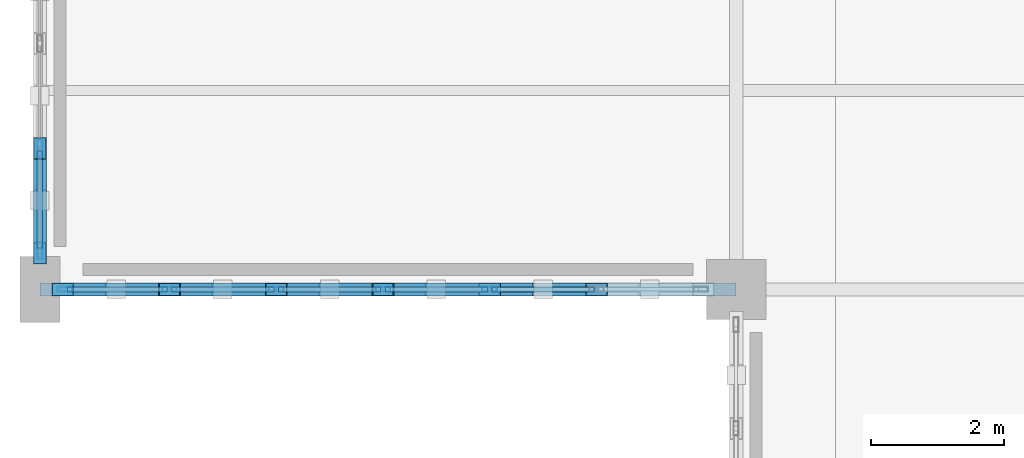
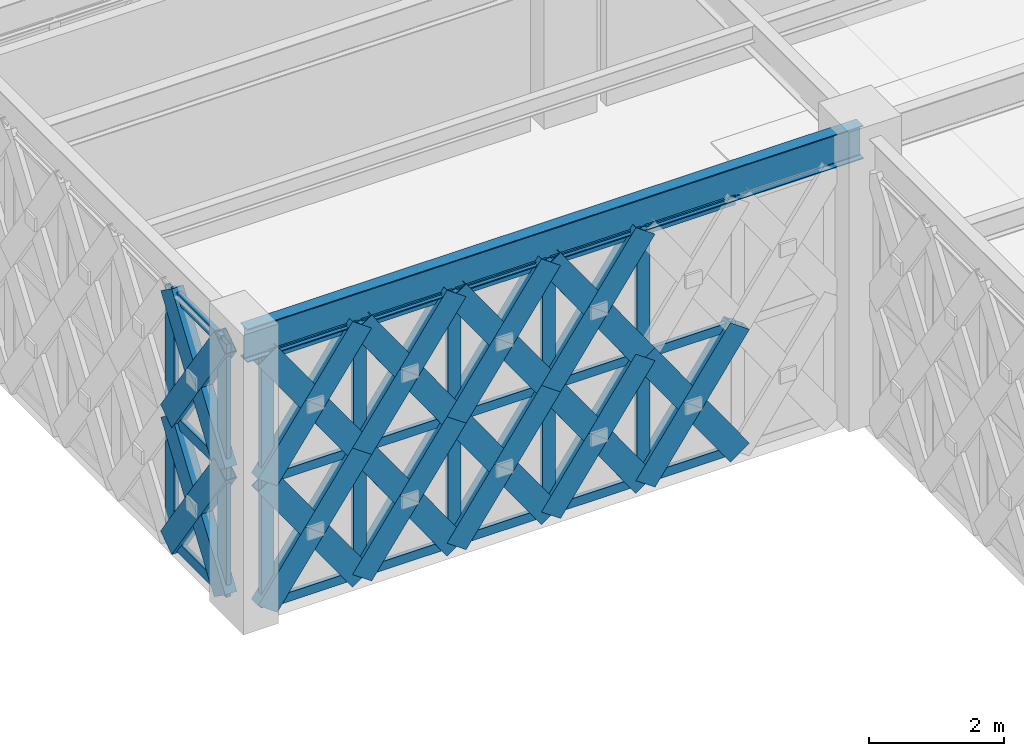
# One storey, part 18 of 155: 58 members, 1 beam, 2 elements without a shape of their own.
"""IFC4 building model written with IfcOpenShell, lengths in metres."""

from ifc_helpers import new_model, si_unit, direction, frame, origin, origin_2d, place, context, subcontext, project, spatial, hollow_rectangle, i_section, extrude, material, material_profile, profile_set, type_object, element, aggregate, save


model = new_model("IFC4")

# Units and contexts
model_context = context("Model", 3, precision=1e-05, world=origin(), true_north=direction((0.0, 1.0)))
body_context = subcontext(model_context, "Body", "Model", "MODEL_VIEW")
ifc_project = project(units=[si_unit("LENGTHUNIT", "METRE"), si_unit("AREAUNIT", "SQUARE_METRE"), si_unit("VOLUMEUNIT", "CUBIC_METRE"), si_unit("PLANEANGLEUNIT", "RADIAN"), si_unit("MASSUNIT", "GRAM", prefix="KILO")], contexts=[model_context])

# Site, building, storey
site_placement = place(None, origin())
site = spatial("IfcSite", under=ifc_project, at=site_placement, CompositionType="ELEMENT")
building_placement = place(site_placement, origin())
building = spatial("IfcBuilding", under=site, at=building_placement, Name="Haizhuo Lancet Aquarium", CompositionType="ELEMENT")
storey_placement = place(building_placement, frame((0.0, 0.0, 10.800048828125)))
storey = spatial("IfcBuildingStorey", under=building, at=storey_placement, Name="L02", CompositionType="ELEMENT", Elevation=10.800048828125)

# Beam
ifc_material_1 = material(Name="Steel S355", Category="steel")
ifc_material_profile_1 = material_profile(ifc_material_1, i_section(OverallWidth=0.199951171875, OverallDepth=0.60009765625, WebThickness=0.010986328125, FlangeThickness=0.01708984375, FilletRadius=0.02197265625, at=origin_2d()), Name="HN 600x200x11x17")
ifc_profile_set_1 = profile_set([ifc_material_profile_1], Name="Steel S355")
beam_type = type_object("IfcBeamType", Name="BM-ST-HN600", PredefinedType="BEAM", material=ifc_profile_set_1)
beam_placement = place(storey_placement, frame((-82.5, -18.0, 4.85986328125), z_axis=(1.0, 0.0, 0.0), x_axis=(0.0, 1.0, 0.0)))
element("IfcBeam", 1, at=beam_placement, inside=storey, type_object=beam_type, Name="L02 V6 primary girder BM-L02-V6-002", PredefinedType="BEAM", context=body_context, shape_type="SweptSolid", body=[
    extrude(i_section(OverallWidth=0.199951171875, OverallDepth=0.60009765625, WebThickness=0.010986328125, FlangeThickness=0.01708984375, FilletRadius=0.02197265625, at=origin_2d()), origin(), (0.0, 0.0, 1.0), 10.5),
])

# Curtain wall, members
ifc_material_2 = material(Name="Aluminium 6063-T6", Category="aluminium")
curtain_wall_type_1 = type_object("IfcCurtainWallType", Name="CWD-9660x4560", PredefinedType="NOTDEFINED", material=ifc_material_2)
curtain_wall_1_placement = place(storey_placement, origin())
curtain_wall_1 = element("IfcCurtainWall", 2, at=curtain_wall_1_placement, inside=storey, type_object=curtain_wall_type_1, Name="L02 curtain wall CW-V6-L02-212", PredefinedType="NOTDEFINED")
ifc_material_profile_2 = material_profile(ifc_material_2, hollow_rectangle(XDim=0.074951171875, YDim=0.219970703125, WallThickness=0.0048828125, at=origin_2d()), Name="ALU-M 75x220x5")
ifc_profile_set_2 = profile_set([ifc_material_profile_2], Name="Aluminium 6063-T6")
member_type_1 = type_object("IfcMemberType", Name="CW-MUL-2", PredefinedType="MULLION", material=ifc_profile_set_2)
member_1_placement = place(storey_placement, frame((-75.715087890625, -18.0, 0.0), z_axis=(0.0, 0.0, 1.0), x_axis=(0.0, -1.0, 0.0)))
member_1 = element("IfcMember", 3, at=member_1_placement, type_object=member_type_1, Name="CWD-96x45 mullion 3", PredefinedType="MULLION", context=body_context, shape_type="SweptSolid", body=[
    extrude(hollow_rectangle(XDim=0.074951171875, YDim=0.219970703125, WallThickness=0.0048828125, at=origin_2d()), origin(), (0.0, 0.0, 1.0), 4.56005859375),
])
member_2_placement = place(storey_placement, frame((-77.324951171875, -18.0, 0.0), z_axis=(0.0, 0.0, 1.0), x_axis=(0.0, -1.0, 0.0)))
member_2 = element("IfcMember", 4, at=member_2_placement, type_object=member_type_1, Name="CWD-96x45 mullion 4", PredefinedType="MULLION", context=body_context, shape_type="SweptSolid", body=[
    extrude(hollow_rectangle(XDim=0.074951171875, YDim=0.219970703125, WallThickness=0.0048828125, at=origin_2d()), origin(), (0.0, 0.0, 1.0), 4.56005859375),
])
member_3_placement = place(storey_placement, frame((-78.93505859375, -18.0, 0.0), z_axis=(0.0, 0.0, 1.0), x_axis=(0.0, -1.0, 0.0)))
member_3 = element("IfcMember", 5, at=member_3_placement, type_object=member_type_1, Name="CWD-96x45 mullion 5", PredefinedType="MULLION", context=body_context, shape_type="SweptSolid", body=[
    extrude(hollow_rectangle(XDim=0.074951171875, YDim=0.219970703125, WallThickness=0.0048828125, at=origin_2d()), origin(), (0.0, 0.0, 1.0), 4.56005859375),
])
member_4_placement = place(storey_placement, frame((-80.544921875, -18.0, 0.0), z_axis=(0.0, 0.0, 1.0), x_axis=(0.0, -1.0, 0.0)))
member_4 = element("IfcMember", 6, at=member_4_placement, type_object=member_type_1, Name="CWD-96x45 mullion 6", PredefinedType="MULLION", context=body_context, shape_type="SweptSolid", body=[
    extrude(hollow_rectangle(XDim=0.074951171875, YDim=0.219970703125, WallThickness=0.0048828125, at=origin_2d()), origin(), (0.0, 0.0, 1.0), 4.56005859375),
])
member_5_placement = place(storey_placement, frame((-82.117919921875, -18.0, 0.0), z_axis=(0.0, 0.0, 1.0), x_axis=(0.0, -1.0, 0.0)))
member_5 = element("IfcMember", 7, at=member_5_placement, type_object=member_type_1, Name="CWD-96x45 mullion 7", PredefinedType="MULLION", context=body_context, shape_type="SweptSolid", body=[
    extrude(hollow_rectangle(XDim=0.074951171875, YDim=0.219970703125, WallThickness=0.0048828125, at=origin_2d()), origin(), (0.0, 0.0, 1.0), 4.56005859375),
])

curtain_wall_type_2 = type_object("IfcCurtainWallType", Name="CWD-7910x4560", PredefinedType="NOTDEFINED", material=ifc_material_2)
curtain_wall_2_placement = place(storey_placement, origin())
curtain_wall_2 = element("IfcCurtainWall", 8, at=curtain_wall_2_placement, inside=storey, type_object=curtain_wall_type_2, Name="L02 curtain wall CW-V6-L02-213", PredefinedType="NOTDEFINED")
ifc_material_profile_3 = material_profile(ifc_material_2, hollow_rectangle(XDim=0.080078125, YDim=0.260009765625, WallThickness=0.0048828125, at=origin_2d()), Name="ALU-M 80x260x5")
ifc_profile_set_3 = profile_set([ifc_material_profile_3], Name="Aluminium 6063-T6")
member_type_2 = type_object("IfcMemberType", Name="CW-MUL-3", PredefinedType="MULLION", material=ifc_profile_set_3)
member_6_placement = place(storey_placement, frame((-82.5, -17.4150390625, 0.0), z_axis=(0.0, 0.0, 1.0), x_axis=(-1.0, 0.0, 0.0)))
member_6 = element("IfcMember", 9, at=member_6_placement, type_object=member_type_2, Name="CWD-79x45 mullion 1", PredefinedType="MULLION", context=body_context, shape_type="SweptSolid", body=[
    extrude(hollow_rectangle(XDim=0.080078125, YDim=0.260009765625, WallThickness=0.0048828125, at=origin_2d()), origin(), (0.0, 0.0, 1.0), 4.56005859375),
])
member_7_placement = place(storey_placement, frame((-82.5, -15.873046875, 0.0), z_axis=(0.0, 0.0, 1.0), x_axis=(-1.0, 0.0, 0.0)))
member_7 = element("IfcMember", 10, at=member_7_placement, type_object=member_type_2, Name="CWD-79x45 mullion 2", PredefinedType="MULLION", context=body_context, shape_type="SweptSolid", body=[
    extrude(hollow_rectangle(XDim=0.080078125, YDim=0.260009765625, WallThickness=0.0048828125, at=origin_2d()), origin(), (0.0, 0.0, 1.0), 4.56005859375),
])

# Member
ifc_material_profile_4 = material_profile(ifc_material_2, hollow_rectangle(XDim=0.074951171875, YDim=0.159912109375, WallThickness=0.00390625, at=origin_2d()), Name="ALU-T 75x160x4")
ifc_profile_set_4 = profile_set([ifc_material_profile_4], Name="Aluminium 6063-T6")
member_type_3 = type_object("IfcMemberType", Name="CW-TRN-2", PredefinedType="NOTDEFINED", material=ifc_profile_set_4)
member_8_placement = place(storey_placement, frame((-74.14208984375, -18.0, 0.037841796875), z_axis=(-1.0, 0.0, 0.0), x_axis=(0.0, -1.0, 0.0)))
member_8 = element("IfcMember", 11, at=member_8_placement, type_object=member_type_3, Name="CWD-96x45 transom 2.1", ObjectType="TRANSOM", PredefinedType="USERDEFINED", context=body_context, shape_type="SweptSolid", body=[
    extrude(hollow_rectangle(XDim=0.074951171875, YDim=0.159912109375, WallThickness=0.00390625, at=origin_2d()), origin(), (0.0, 0.0, 1.0), 1.535888671875),
])

member_9_placement = place(storey_placement, frame((-74.14208984375, -18.0, 2.280029296875), z_axis=(-1.0, 0.0, 0.0), x_axis=(0.0, -1.0, 0.0)))
member_9 = element("IfcMember", 12, at=member_9_placement, type_object=member_type_3, Name="CWD-96x45 transom 2.2", ObjectType="TRANSOM", PredefinedType="USERDEFINED", context=body_context, shape_type="SweptSolid", body=[
    extrude(hollow_rectangle(XDim=0.074951171875, YDim=0.159912109375, WallThickness=0.00390625, at=origin_2d()), origin(), (0.0, 0.0, 1.0), 1.535888671875),
])

member_10_placement = place(storey_placement, frame((-74.14208984375, -18.0, 4.52197265625), z_axis=(-1.0, 0.0, 0.0), x_axis=(0.0, -1.0, 0.0)))
member_10 = element("IfcMember", 13, at=member_10_placement, type_object=member_type_3, Name="CWD-96x45 transom 2.3", ObjectType="TRANSOM", PredefinedType="USERDEFINED", context=body_context, shape_type="SweptSolid", body=[
    extrude(hollow_rectangle(XDim=0.074951171875, YDim=0.159912109375, WallThickness=0.00390625, at=origin_2d()), origin(), (0.0, 0.0, 1.0), 1.535888671875),
])

member_11_placement = place(storey_placement, frame((-75.751953125, -18.0, 0.037841796875), z_axis=(-1.0, 0.0, 0.0), x_axis=(0.0, -1.0, 0.0)))
member_11 = element("IfcMember", 14, at=member_11_placement, type_object=member_type_3, Name="CWD-96x45 transom 3.1", ObjectType="TRANSOM", PredefinedType="USERDEFINED", context=body_context, shape_type="SweptSolid", body=[
    extrude(hollow_rectangle(XDim=0.074951171875, YDim=0.159912109375, WallThickness=0.00390625, at=origin_2d()), origin(), (0.0, 0.0, 1.0), 1.5361328125),
])

member_12_placement = place(storey_placement, frame((-75.751953125, -18.0, 2.280029296875), z_axis=(-1.0, 0.0, 0.0), x_axis=(0.0, -1.0, 0.0)))
member_12 = element("IfcMember", 15, at=member_12_placement, type_object=member_type_3, Name="CWD-96x45 transom 3.2", ObjectType="TRANSOM", PredefinedType="USERDEFINED", context=body_context, shape_type="SweptSolid", body=[
    extrude(hollow_rectangle(XDim=0.074951171875, YDim=0.159912109375, WallThickness=0.00390625, at=origin_2d()), origin(), (0.0, 0.0, 1.0), 1.5361328125),
])

member_13_placement = place(storey_placement, frame((-75.751953125, -18.0, 4.52197265625), z_axis=(-1.0, 0.0, 0.0), x_axis=(0.0, -1.0, 0.0)))
member_13 = element("IfcMember", 16, at=member_13_placement, type_object=member_type_3, Name="CWD-96x45 transom 3.3", ObjectType="TRANSOM", PredefinedType="USERDEFINED", context=body_context, shape_type="SweptSolid", body=[
    extrude(hollow_rectangle(XDim=0.074951171875, YDim=0.159912109375, WallThickness=0.00390625, at=origin_2d()), origin(), (0.0, 0.0, 1.0), 1.5361328125),
])

member_14_placement = place(storey_placement, frame((-77.362060546875, -18.0, 0.037841796875), z_axis=(-1.0, 0.0, 0.0), x_axis=(0.0, -1.0, 0.0)))
member_14 = element("IfcMember", 17, at=member_14_placement, type_object=member_type_3, Name="CWD-96x45 transom 4.1", ObjectType="TRANSOM", PredefinedType="USERDEFINED", context=body_context, shape_type="SweptSolid", body=[
    extrude(hollow_rectangle(XDim=0.074951171875, YDim=0.159912109375, WallThickness=0.00390625, at=origin_2d()), origin(), (0.0, 0.0, 1.0), 1.535888671875),
])

member_15_placement = place(storey_placement, frame((-77.362060546875, -18.0, 2.280029296875), z_axis=(-1.0, 0.0, 0.0), x_axis=(0.0, -1.0, 0.0)))
member_15 = element("IfcMember", 18, at=member_15_placement, type_object=member_type_3, Name="CWD-96x45 transom 4.2", ObjectType="TRANSOM", PredefinedType="USERDEFINED", context=body_context, shape_type="SweptSolid", body=[
    extrude(hollow_rectangle(XDim=0.074951171875, YDim=0.159912109375, WallThickness=0.00390625, at=origin_2d()), origin(), (0.0, 0.0, 1.0), 1.535888671875),
])

member_16_placement = place(storey_placement, frame((-77.362060546875, -18.0, 4.52197265625), z_axis=(-1.0, 0.0, 0.0), x_axis=(0.0, -1.0, 0.0)))
member_16 = element("IfcMember", 19, at=member_16_placement, type_object=member_type_3, Name="CWD-96x45 transom 4.3", ObjectType="TRANSOM", PredefinedType="USERDEFINED", context=body_context, shape_type="SweptSolid", body=[
    extrude(hollow_rectangle(XDim=0.074951171875, YDim=0.159912109375, WallThickness=0.00390625, at=origin_2d()), origin(), (0.0, 0.0, 1.0), 1.535888671875),
])

member_17_placement = place(storey_placement, frame((-78.971923828125, -18.0, 0.037841796875), z_axis=(-1.0, 0.0, 0.0), x_axis=(0.0, -1.0, 0.0)))
member_17 = element("IfcMember", 20, at=member_17_placement, type_object=member_type_3, Name="CWD-96x45 transom 5.1", ObjectType="TRANSOM", PredefinedType="USERDEFINED", context=body_context, shape_type="SweptSolid", body=[
    extrude(hollow_rectangle(XDim=0.074951171875, YDim=0.159912109375, WallThickness=0.00390625, at=origin_2d()), origin(), (0.0, 0.0, 1.0), 1.5361328125),
])

member_18_placement = place(storey_placement, frame((-78.971923828125, -18.0, 2.280029296875), z_axis=(-1.0, 0.0, 0.0), x_axis=(0.0, -1.0, 0.0)))
member_18 = element("IfcMember", 21, at=member_18_placement, type_object=member_type_3, Name="CWD-96x45 transom 5.2", ObjectType="TRANSOM", PredefinedType="USERDEFINED", context=body_context, shape_type="SweptSolid", body=[
    extrude(hollow_rectangle(XDim=0.074951171875, YDim=0.159912109375, WallThickness=0.00390625, at=origin_2d()), origin(), (0.0, 0.0, 1.0), 1.5361328125),
])

member_19_placement = place(storey_placement, frame((-78.971923828125, -18.0, 4.52197265625), z_axis=(-1.0, 0.0, 0.0), x_axis=(0.0, -1.0, 0.0)))
member_19 = element("IfcMember", 22, at=member_19_placement, type_object=member_type_3, Name="CWD-96x45 transom 5.3", ObjectType="TRANSOM", PredefinedType="USERDEFINED", context=body_context, shape_type="SweptSolid", body=[
    extrude(hollow_rectangle(XDim=0.074951171875, YDim=0.159912109375, WallThickness=0.00390625, at=origin_2d()), origin(), (0.0, 0.0, 1.0), 1.5361328125),
])

member_20_placement = place(storey_placement, frame((-80.58203125, -18.0, 0.037841796875), z_axis=(-1.0, 0.0, 0.0), x_axis=(0.0, -1.0, 0.0)))
member_20 = element("IfcMember", 23, at=member_20_placement, type_object=member_type_3, Name="CWD-96x45 transom 6.1", ObjectType="TRANSOM", PredefinedType="USERDEFINED", context=body_context, shape_type="SweptSolid", body=[
    extrude(hollow_rectangle(XDim=0.074951171875, YDim=0.159912109375, WallThickness=0.00390625, at=origin_2d()), origin(), (0.0, 0.0, 1.0), 1.498046875),
])

member_21_placement = place(storey_placement, frame((-80.58203125, -18.0, 2.280029296875), z_axis=(-1.0, 0.0, 0.0), x_axis=(0.0, -1.0, 0.0)))
member_21 = element("IfcMember", 24, at=member_21_placement, type_object=member_type_3, Name="CWD-96x45 transom 6.2", ObjectType="TRANSOM", PredefinedType="USERDEFINED", context=body_context, shape_type="SweptSolid", body=[
    extrude(hollow_rectangle(XDim=0.074951171875, YDim=0.159912109375, WallThickness=0.00390625, at=origin_2d()), origin(), (0.0, 0.0, 1.0), 1.498046875),
])

member_22_placement = place(storey_placement, frame((-80.58203125, -18.0, 4.52197265625), z_axis=(-1.0, 0.0, 0.0), x_axis=(0.0, -1.0, 0.0)))
member_22 = element("IfcMember", 25, at=member_22_placement, type_object=member_type_3, Name="CWD-96x45 transom 6.3", ObjectType="TRANSOM", PredefinedType="USERDEFINED", context=body_context, shape_type="SweptSolid", body=[
    extrude(hollow_rectangle(XDim=0.074951171875, YDim=0.159912109375, WallThickness=0.00390625, at=origin_2d()), origin(), (0.0, 0.0, 1.0), 1.498046875),
])

aggregate(curtain_wall_1, [member_1, member_2, member_3, member_4, member_5, member_8, member_9, member_10, member_11, member_12, member_13, member_14, member_15, member_16, member_17, member_18, member_19, member_20, member_21, member_22])

ifc_material_profile_5 = material_profile(ifc_material_2, hollow_rectangle(XDim=0.080078125, YDim=0.18994140625, WallThickness=0.0048828125, at=origin_2d()), Name="ALU-T 80x190x5")
ifc_profile_set_5 = profile_set([ifc_material_profile_5], Name="Aluminium 6063-T6")
member_type_4 = type_object("IfcMemberType", Name="CW-TRN-3", PredefinedType="NOTDEFINED", material=ifc_profile_set_5)
member_23_placement = place(storey_placement, frame((-82.5, -17.375, 0.0400390625), z_axis=(0.0, 1.0, 0.0), x_axis=(-1.0, 0.0, 0.0)))
member_23 = element("IfcMember", 26, at=member_23_placement, type_object=member_type_4, Name="CWD-79x45 transom 1.1", ObjectType="TRANSOM", PredefinedType="USERDEFINED", context=body_context, shape_type="SweptSolid", body=[
    extrude(hollow_rectangle(XDim=0.080078125, YDim=0.18994140625, WallThickness=0.0048828125, at=origin_2d()), origin(), (0.0, 0.0, 1.0), 1.4619140625),
])

member_24_placement = place(storey_placement, frame((-82.5, -17.375, 2.280029296875), z_axis=(0.0, 1.0, 0.0), x_axis=(-1.0, 0.0, 0.0)))
member_24 = element("IfcMember", 27, at=member_24_placement, type_object=member_type_4, Name="CWD-79x45 transom 1.2", ObjectType="TRANSOM", PredefinedType="USERDEFINED", context=body_context, shape_type="SweptSolid", body=[
    extrude(hollow_rectangle(XDim=0.080078125, YDim=0.18994140625, WallThickness=0.0048828125, at=origin_2d()), origin(), (0.0, 0.0, 1.0), 1.4619140625),
])

member_25_placement = place(storey_placement, frame((-82.5, -17.375, 4.52001953125), z_axis=(0.0, 1.0, 0.0), x_axis=(-1.0, 0.0, 0.0)))
member_25 = element("IfcMember", 28, at=member_25_placement, type_object=member_type_4, Name="CWD-79x45 transom 1.3", ObjectType="TRANSOM", PredefinedType="USERDEFINED", context=body_context, shape_type="SweptSolid", body=[
    extrude(hollow_rectangle(XDim=0.080078125, YDim=0.18994140625, WallThickness=0.0048828125, at=origin_2d()), origin(), (0.0, 0.0, 1.0), 1.4619140625),
])

aggregate(curtain_wall_2, [member_6, member_7, member_23, member_24, member_25])

# Members
ifc_material_profile_6 = material_profile(ifc_material_1, hollow_rectangle(XDim=0.199951171875, YDim=0.39990234375, WallThickness=0.011962890625, at=origin_2d()), Name="RHS 200x400x12")
ifc_profile_set_6 = profile_set([ifc_material_profile_6], Name="Steel S355")
member_type_5 = type_object("IfcMemberType", Name="MEM-LB-RHS200x400", PredefinedType="BRACE", material=ifc_profile_set_6)
member_26_placement = place(storey_placement, frame((-74.10498046875, -18.0, 0.0), z_axis=(-0.576844586112, 0.0, 0.816853918074), x_axis=(0.0, -1.0, 0.0)))
element("IfcMember", 29, at=member_26_placement, inside=storey, type_object=member_type_5, Name="Gothic lancet continuous diagonal brace CW-V6-L02-212 3A", PredefinedType="BRACE", context=body_context, shape_type="SweptSolid", body=[
    extrude(hollow_rectangle(XDim=0.199951171875, YDim=0.39990234375, WallThickness=0.011962890625, at=origin_2d()), origin(), (0.0, 0.0, 1.0), 2.791259765625),
])
member_27_placement = place(storey_placement, frame((-75.715087890625, -18.0, 0.0), z_axis=(0.576944160506, 0.0, 0.816783591693), x_axis=(0.0, 1.0, 0.0)))
element("IfcMember", 30, at=member_27_placement, inside=storey, type_object=member_type_5, Name="Gothic lancet split diagonal brace CW-V6-L02-212 3B1", PredefinedType="BRACE", context=body_context, shape_type="SweptSolid", body=[
    extrude(hollow_rectangle(XDim=0.199951171875, YDim=0.39990234375, WallThickness=0.011962890625, at=origin_2d()), origin(), (0.0, 0.0, 1.0), 1.3955078125),
])
member_28_placement = place(storey_placement, frame((-74.909912109375, -18.0, 1.139892578125), z_axis=(0.576745007327, 0.0, 0.816924229365), x_axis=(0.0, 1.0, 0.0)))
element("IfcMember", 31, at=member_28_placement, inside=storey, type_object=member_type_5, Name="Gothic lancet split diagonal brace CW-V6-L02-212 3B2", PredefinedType="BRACE", context=body_context, shape_type="SweptSolid", body=[
    extrude(hollow_rectangle(XDim=0.199951171875, YDim=0.39990234375, WallThickness=0.011962890625, at=origin_2d()), origin(), (0.0, 0.0, 1.0), 1.395751953125),
])
member_29_placement = place(storey_placement, frame((-75.715087890625, -18.0, 0.0), z_axis=(-0.576786219339, 0.0, 0.816895132303), x_axis=(0.0, -1.0, 0.0)))
element("IfcMember", 32, at=member_29_placement, inside=storey, type_object=member_type_5, Name="Gothic lancet continuous diagonal brace CW-V6-L02-212 5A", PredefinedType="BRACE", context=body_context, shape_type="SweptSolid", body=[
    extrude(hollow_rectangle(XDim=0.199951171875, YDim=0.39990234375, WallThickness=0.011962890625, at=origin_2d()), origin(), (0.0, 0.0, 1.0), 2.791015625),
])
member_30_placement = place(storey_placement, frame((-77.324951171875, -18.0, 0.0), z_axis=(0.576827435773, 0.0, 0.816866029003), x_axis=(0.0, 1.0, 0.0)))
element("IfcMember", 33, at=member_30_placement, inside=storey, type_object=member_type_5, Name="Gothic lancet split diagonal brace CW-V6-L02-212 5B1", PredefinedType="BRACE", context=body_context, shape_type="SweptSolid", body=[
    extrude(hollow_rectangle(XDim=0.199951171875, YDim=0.39990234375, WallThickness=0.011962890625, at=origin_2d()), origin(), (0.0, 0.0, 1.0), 1.3955078125),
])
member_31_placement = place(storey_placement, frame((-76.52001953125, -18.0, 1.139892578125), z_axis=(0.576745007327, 0.0, 0.816924229365), x_axis=(0.0, 1.0, 0.0)))
element("IfcMember", 34, at=member_31_placement, inside=storey, type_object=member_type_5, Name="Gothic lancet split diagonal brace CW-V6-L02-212 5B2", PredefinedType="BRACE", context=body_context, shape_type="SweptSolid", body=[
    extrude(hollow_rectangle(XDim=0.199951171875, YDim=0.39990234375, WallThickness=0.011962890625, at=origin_2d()), origin(), (0.0, 0.0, 1.0), 1.395751953125),
])
member_32_placement = place(storey_placement, frame((-75.715087890625, -18.0, 2.280029296875), z_axis=(-0.576786219339, 0.0, 0.816895132303), x_axis=(0.0, -1.0, 0.0)))
element("IfcMember", 35, at=member_32_placement, inside=storey, type_object=member_type_5, Name="Gothic lancet continuous diagonal brace CW-V6-L02-212 6A", PredefinedType="BRACE", context=body_context, shape_type="SweptSolid", body=[
    extrude(hollow_rectangle(XDim=0.199951171875, YDim=0.39990234375, WallThickness=0.011962890625, at=origin_2d()), origin(), (0.0, 0.0, 1.0), 2.791015625),
])
member_33_placement = place(storey_placement, frame((-77.324951171875, -18.0, 2.280029296875), z_axis=(0.576827435773, 0.0, 0.816866029003), x_axis=(0.0, 1.0, 0.0)))
element("IfcMember", 36, at=member_33_placement, inside=storey, type_object=member_type_5, Name="Gothic lancet split diagonal brace CW-V6-L02-212 6B1", PredefinedType="BRACE", context=body_context, shape_type="SweptSolid", body=[
    extrude(hollow_rectangle(XDim=0.199951171875, YDim=0.39990234375, WallThickness=0.011962890625, at=origin_2d()), origin(), (0.0, 0.0, 1.0), 1.3955078125),
])
member_34_placement = place(storey_placement, frame((-76.52001953125, -18.0, 3.419921875), z_axis=(0.576745007327, 0.0, 0.816924229365), x_axis=(0.0, 1.0, 0.0)))
element("IfcMember", 37, at=member_34_placement, inside=storey, type_object=member_type_5, Name="Gothic lancet split diagonal brace CW-V6-L02-212 6B2", PredefinedType="BRACE", context=body_context, shape_type="SweptSolid", body=[
    extrude(hollow_rectangle(XDim=0.199951171875, YDim=0.39990234375, WallThickness=0.011962890625, at=origin_2d()), origin(), (0.0, 0.0, 1.0), 1.395751953125),
])
member_35_placement = place(storey_placement, frame((-77.324951171875, -18.0, 0.0), z_axis=(-0.576844586112, 0.0, 0.816853918074), x_axis=(0.0, -1.0, 0.0)))
element("IfcMember", 38, at=member_35_placement, inside=storey, type_object=member_type_5, Name="Gothic lancet continuous diagonal brace CW-V6-L02-212 7A", PredefinedType="BRACE", context=body_context, shape_type="SweptSolid", body=[
    extrude(hollow_rectangle(XDim=0.199951171875, YDim=0.39990234375, WallThickness=0.011962890625, at=origin_2d()), origin(), (0.0, 0.0, 1.0), 2.791259765625),
])
member_36_placement = place(storey_placement, frame((-78.93505859375, -18.0, 0.0), z_axis=(0.576944160506, 0.0, 0.816783591693), x_axis=(0.0, 1.0, 0.0)))
element("IfcMember", 39, at=member_36_placement, inside=storey, type_object=member_type_5, Name="Gothic lancet split diagonal brace CW-V6-L02-212 7B1", PredefinedType="BRACE", context=body_context, shape_type="SweptSolid", body=[
    extrude(hollow_rectangle(XDim=0.199951171875, YDim=0.39990234375, WallThickness=0.011962890625, at=origin_2d()), origin(), (0.0, 0.0, 1.0), 1.3955078125),
])
member_37_placement = place(storey_placement, frame((-78.1298828125, -18.0, 1.139892578125), z_axis=(0.576745007327, 0.0, 0.816924229365), x_axis=(0.0, 1.0, 0.0)))
element("IfcMember", 40, at=member_37_placement, inside=storey, type_object=member_type_5, Name="Gothic lancet split diagonal brace CW-V6-L02-212 7B2", PredefinedType="BRACE", context=body_context, shape_type="SweptSolid", body=[
    extrude(hollow_rectangle(XDim=0.199951171875, YDim=0.39990234375, WallThickness=0.011962890625, at=origin_2d()), origin(), (0.0, 0.0, 1.0), 1.395751953125),
])
member_38_placement = place(storey_placement, frame((-77.324951171875, -18.0, 2.280029296875), z_axis=(-0.576844586112, 0.0, 0.816853918074), x_axis=(0.0, -1.0, 0.0)))
element("IfcMember", 41, at=member_38_placement, inside=storey, type_object=member_type_5, Name="Gothic lancet continuous diagonal brace CW-V6-L02-212 8A", PredefinedType="BRACE", context=body_context, shape_type="SweptSolid", body=[
    extrude(hollow_rectangle(XDim=0.199951171875, YDim=0.39990234375, WallThickness=0.011962890625, at=origin_2d()), origin(), (0.0, 0.0, 1.0), 2.791259765625),
])
member_39_placement = place(storey_placement, frame((-78.93505859375, -18.0, 2.280029296875), z_axis=(0.576944160506, 0.0, 0.816783591693), x_axis=(0.0, 1.0, 0.0)))
element("IfcMember", 42, at=member_39_placement, inside=storey, type_object=member_type_5, Name="Gothic lancet split diagonal brace CW-V6-L02-212 8B1", PredefinedType="BRACE", context=body_context, shape_type="SweptSolid", body=[
    extrude(hollow_rectangle(XDim=0.199951171875, YDim=0.39990234375, WallThickness=0.011962890625, at=origin_2d()), origin(), (0.0, 0.0, 1.0), 1.3955078125),
])
member_40_placement = place(storey_placement, frame((-78.1298828125, -18.0, 3.419921875), z_axis=(0.576745007327, 0.0, 0.816924229365), x_axis=(0.0, 1.0, 0.0)))
element("IfcMember", 43, at=member_40_placement, inside=storey, type_object=member_type_5, Name="Gothic lancet split diagonal brace CW-V6-L02-212 8B2", PredefinedType="BRACE", context=body_context, shape_type="SweptSolid", body=[
    extrude(hollow_rectangle(XDim=0.199951171875, YDim=0.39990234375, WallThickness=0.011962890625, at=origin_2d()), origin(), (0.0, 0.0, 1.0), 1.395751953125),
])
member_41_placement = place(storey_placement, frame((-78.93505859375, -18.0, 0.0), z_axis=(-0.576786219339, 0.0, 0.816895132303), x_axis=(0.0, -1.0, 0.0)))
element("IfcMember", 44, at=member_41_placement, inside=storey, type_object=member_type_5, Name="Gothic lancet continuous diagonal brace CW-V6-L02-212 9A", PredefinedType="BRACE", context=body_context, shape_type="SweptSolid", body=[
    extrude(hollow_rectangle(XDim=0.199951171875, YDim=0.39990234375, WallThickness=0.011962890625, at=origin_2d()), origin(), (0.0, 0.0, 1.0), 2.791015625),
])
member_42_placement = place(storey_placement, frame((-80.544921875, -18.0, 0.0), z_axis=(0.576827435773, 0.0, 0.816866029003), x_axis=(0.0, 1.0, 0.0)))
element("IfcMember", 45, at=member_42_placement, inside=storey, type_object=member_type_5, Name="Gothic lancet split diagonal brace CW-V6-L02-212 9B1", PredefinedType="BRACE", context=body_context, shape_type="SweptSolid", body=[
    extrude(hollow_rectangle(XDim=0.199951171875, YDim=0.39990234375, WallThickness=0.011962890625, at=origin_2d()), origin(), (0.0, 0.0, 1.0), 1.3955078125),
])
member_43_placement = place(storey_placement, frame((-79.739990234375, -18.0, 1.139892578125), z_axis=(0.576745007327, 0.0, 0.816924229365), x_axis=(0.0, 1.0, 0.0)))
element("IfcMember", 46, at=member_43_placement, inside=storey, type_object=member_type_5, Name="Gothic lancet split diagonal brace CW-V6-L02-212 9B2", PredefinedType="BRACE", context=body_context, shape_type="SweptSolid", body=[
    extrude(hollow_rectangle(XDim=0.199951171875, YDim=0.39990234375, WallThickness=0.011962890625, at=origin_2d()), origin(), (0.0, 0.0, 1.0), 1.395751953125),
])
member_44_placement = place(storey_placement, frame((-78.93505859375, -18.0, 2.280029296875), z_axis=(-0.576786219339, 0.0, 0.816895132303), x_axis=(0.0, -1.0, 0.0)))
element("IfcMember", 47, at=member_44_placement, inside=storey, type_object=member_type_5, Name="Gothic lancet continuous diagonal brace CW-V6-L02-212 10A", PredefinedType="BRACE", context=body_context, shape_type="SweptSolid", body=[
    extrude(hollow_rectangle(XDim=0.199951171875, YDim=0.39990234375, WallThickness=0.011962890625, at=origin_2d()), origin(), (0.0, 0.0, 1.0), 2.791015625),
])
member_45_placement = place(storey_placement, frame((-80.544921875, -18.0, 2.280029296875), z_axis=(0.576827435773, 0.0, 0.816866029003), x_axis=(0.0, 1.0, 0.0)))
element("IfcMember", 48, at=member_45_placement, inside=storey, type_object=member_type_5, Name="Gothic lancet split diagonal brace CW-V6-L02-212 10B1", PredefinedType="BRACE", context=body_context, shape_type="SweptSolid", body=[
    extrude(hollow_rectangle(XDim=0.199951171875, YDim=0.39990234375, WallThickness=0.011962890625, at=origin_2d()), origin(), (0.0, 0.0, 1.0), 1.3955078125),
])
member_46_placement = place(storey_placement, frame((-79.739990234375, -18.0, 3.419921875), z_axis=(0.576745007327, 0.0, 0.816924229365), x_axis=(0.0, 1.0, 0.0)))
element("IfcMember", 49, at=member_46_placement, inside=storey, type_object=member_type_5, Name="Gothic lancet split diagonal brace CW-V6-L02-212 10B2", PredefinedType="BRACE", context=body_context, shape_type="SweptSolid", body=[
    extrude(hollow_rectangle(XDim=0.199951171875, YDim=0.39990234375, WallThickness=0.011962890625, at=origin_2d()), origin(), (0.0, 0.0, 1.0), 1.395751953125),
])
member_47_placement = place(storey_placement, frame((-80.544921875, -18.0, 0.0), z_axis=(-0.576844586112, 0.0, 0.816853918074), x_axis=(0.0, -1.0, 0.0)))
element("IfcMember", 50, at=member_47_placement, inside=storey, type_object=member_type_5, Name="Gothic lancet continuous diagonal brace CW-V6-L02-212 11A", PredefinedType="BRACE", context=body_context, shape_type="SweptSolid", body=[
    extrude(hollow_rectangle(XDim=0.199951171875, YDim=0.39990234375, WallThickness=0.011962890625, at=origin_2d()), origin(), (0.0, 0.0, 1.0), 2.791259765625),
])
member_48_placement = place(storey_placement, frame((-82.155029296875, -18.0, 0.0), z_axis=(0.576827435773, 0.0, 0.816866029003), x_axis=(0.0, 1.0, 0.0)))
element("IfcMember", 51, at=member_48_placement, inside=storey, type_object=member_type_5, Name="Gothic lancet split diagonal brace CW-V6-L02-212 11B1", PredefinedType="BRACE", context=body_context, shape_type="SweptSolid", body=[
    extrude(hollow_rectangle(XDim=0.199951171875, YDim=0.39990234375, WallThickness=0.011962890625, at=origin_2d()), origin(), (0.0, 0.0, 1.0), 1.3955078125),
])
member_49_placement = place(storey_placement, frame((-81.35009765625, -18.0, 1.139892578125), z_axis=(0.576861732016, 0.0, 0.816841809738), x_axis=(0.0, 1.0, 0.0)))
element("IfcMember", 52, at=member_49_placement, inside=storey, type_object=member_type_5, Name="Gothic lancet split diagonal brace CW-V6-L02-212 11B2", PredefinedType="BRACE", context=body_context, shape_type="SweptSolid", body=[
    extrude(hollow_rectangle(XDim=0.199951171875, YDim=0.39990234375, WallThickness=0.011962890625, at=origin_2d()), origin(), (0.0, 0.0, 1.0), 1.395751953125),
])
member_50_placement = place(storey_placement, frame((-80.544921875, -18.0, 2.280029296875), z_axis=(-0.576844586112, 0.0, 0.816853918074), x_axis=(0.0, -1.0, 0.0)))
element("IfcMember", 53, at=member_50_placement, inside=storey, type_object=member_type_5, Name="Gothic lancet continuous diagonal brace CW-V6-L02-212 12A", PredefinedType="BRACE", context=body_context, shape_type="SweptSolid", body=[
    extrude(hollow_rectangle(XDim=0.199951171875, YDim=0.39990234375, WallThickness=0.011962890625, at=origin_2d()), origin(), (0.0, 0.0, 1.0), 2.791259765625),
])
member_51_placement = place(storey_placement, frame((-82.155029296875, -18.0, 2.280029296875), z_axis=(0.576827435773, 0.0, 0.816866029003), x_axis=(0.0, 1.0, 0.0)))
element("IfcMember", 54, at=member_51_placement, inside=storey, type_object=member_type_5, Name="Gothic lancet split diagonal brace CW-V6-L02-212 12B1", PredefinedType="BRACE", context=body_context, shape_type="SweptSolid", body=[
    extrude(hollow_rectangle(XDim=0.199951171875, YDim=0.39990234375, WallThickness=0.011962890625, at=origin_2d()), origin(), (0.0, 0.0, 1.0), 1.3955078125),
])
member_52_placement = place(storey_placement, frame((-81.35009765625, -18.0, 3.419921875), z_axis=(0.576861732016, 0.0, 0.816841809738), x_axis=(0.0, 1.0, 0.0)))
element("IfcMember", 55, at=member_52_placement, inside=storey, type_object=member_type_5, Name="Gothic lancet split diagonal brace CW-V6-L02-212 12B2", PredefinedType="BRACE", context=body_context, shape_type="SweptSolid", body=[
    extrude(hollow_rectangle(XDim=0.199951171875, YDim=0.39990234375, WallThickness=0.011962890625, at=origin_2d()), origin(), (0.0, 0.0, 1.0), 1.395751953125),
])
member_53_placement = place(storey_placement, frame((-82.5, -17.455078125, 0.0), z_axis=(0.0, 0.570074276753, 0.821593159042), x_axis=(-1.0, 0.0, 0.0)))
element("IfcMember", 56, at=member_53_placement, inside=storey, type_object=member_type_5, Name="Gothic lancet continuous diagonal brace CW-V6-L02-213 1A", PredefinedType="BRACE", context=body_context, shape_type="SweptSolid", body=[
    extrude(hollow_rectangle(XDim=0.199951171875, YDim=0.39990234375, WallThickness=0.011962890625, at=origin_2d()), origin(), (0.0, 0.0, 1.0), 2.775146484375),
])
member_54_placement = place(storey_placement, frame((-82.5, -15.873046875, 0.0), z_axis=(0.0, -0.570115483519, 0.821564565602), x_axis=(1.0, 0.0, 0.0)))
element("IfcMember", 57, at=member_54_placement, inside=storey, type_object=member_type_5, Name="Gothic lancet split diagonal brace CW-V6-L02-213 1B1", PredefinedType="BRACE", context=body_context, shape_type="SweptSolid", body=[
    extrude(hollow_rectangle(XDim=0.199951171875, YDim=0.39990234375, WallThickness=0.011962890625, at=origin_2d()), origin(), (0.0, 0.0, 1.0), 1.387451171875),
])
member_55_placement = place(storey_placement, frame((-82.5, -16.6640625, 1.139892578125), z_axis=(0.0, -0.570033074509, 0.821621746283), x_axis=(1.0, 0.0, 0.0)))
element("IfcMember", 58, at=member_55_placement, inside=storey, type_object=member_type_5, Name="Gothic lancet split diagonal brace CW-V6-L02-213 1B2", PredefinedType="BRACE", context=body_context, shape_type="SweptSolid", body=[
    extrude(hollow_rectangle(XDim=0.199951171875, YDim=0.39990234375, WallThickness=0.011962890625, at=origin_2d()), origin(), (0.0, 0.0, 1.0), 1.3876953125),
])
member_56_placement = place(storey_placement, frame((-82.5, -17.455078125, 2.280029296875), z_axis=(0.0, 0.570074276753, 0.821593159042), x_axis=(-1.0, 0.0, 0.0)))
element("IfcMember", 59, at=member_56_placement, inside=storey, type_object=member_type_5, Name="Gothic lancet continuous diagonal brace CW-V6-L02-213 2A", PredefinedType="BRACE", context=body_context, shape_type="SweptSolid", body=[
    extrude(hollow_rectangle(XDim=0.199951171875, YDim=0.39990234375, WallThickness=0.011962890625, at=origin_2d()), origin(), (0.0, 0.0, 1.0), 2.775146484375),
])
member_57_placement = place(storey_placement, frame((-82.5, -15.873046875, 2.280029296875), z_axis=(0.0, -0.570115483519, 0.821564565602), x_axis=(1.0, 0.0, 0.0)))
element("IfcMember", 60, at=member_57_placement, inside=storey, type_object=member_type_5, Name="Gothic lancet split diagonal brace CW-V6-L02-213 2B1", PredefinedType="BRACE", context=body_context, shape_type="SweptSolid", body=[
    extrude(hollow_rectangle(XDim=0.199951171875, YDim=0.39990234375, WallThickness=0.011962890625, at=origin_2d()), origin(), (0.0, 0.0, 1.0), 1.387451171875),
])
member_58_placement = place(storey_placement, frame((-82.5, -16.6640625, 3.419921875), z_axis=(0.0, -0.570033074509, 0.821621746283), x_axis=(1.0, 0.0, 0.0)))
element("IfcMember", 61, at=member_58_placement, inside=storey, type_object=member_type_5, Name="Gothic lancet split diagonal brace CW-V6-L02-213 2B2", PredefinedType="BRACE", context=body_context, shape_type="SweptSolid", body=[
    extrude(hollow_rectangle(XDim=0.199951171875, YDim=0.39990234375, WallThickness=0.011962890625, at=origin_2d()), origin(), (0.0, 0.0, 1.0), 1.3876953125),
])

save(model, "model.ifc")
